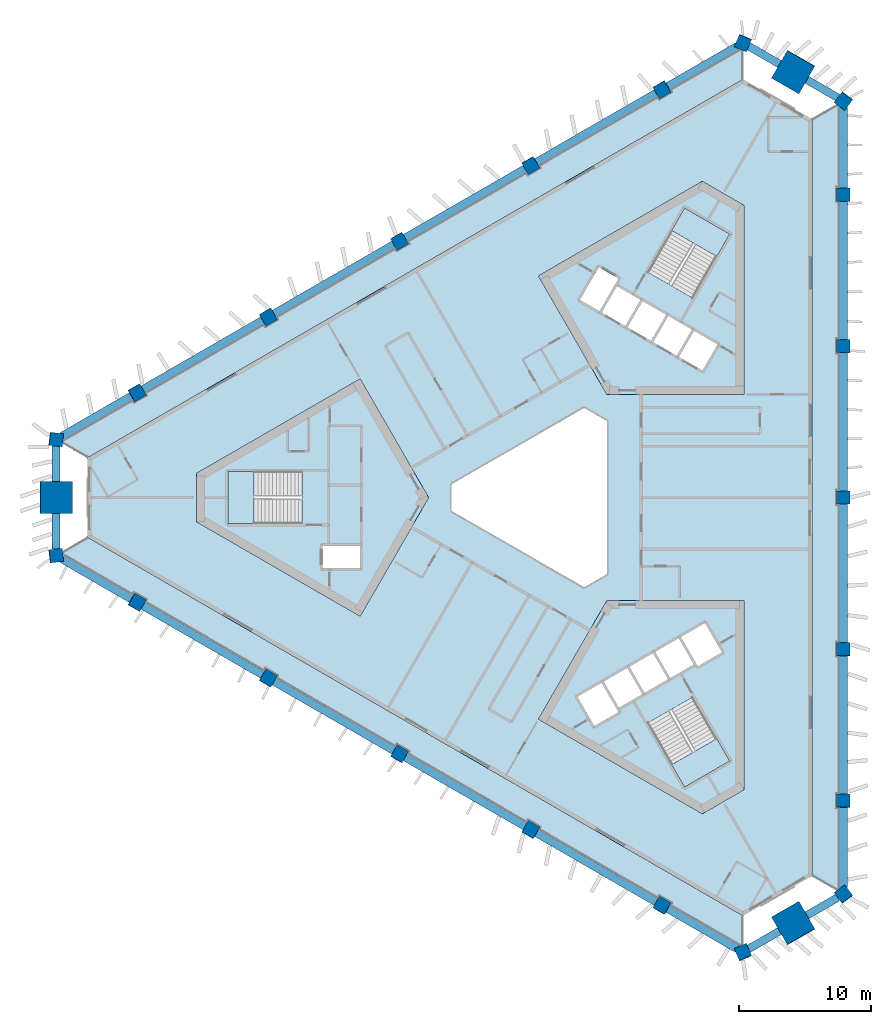
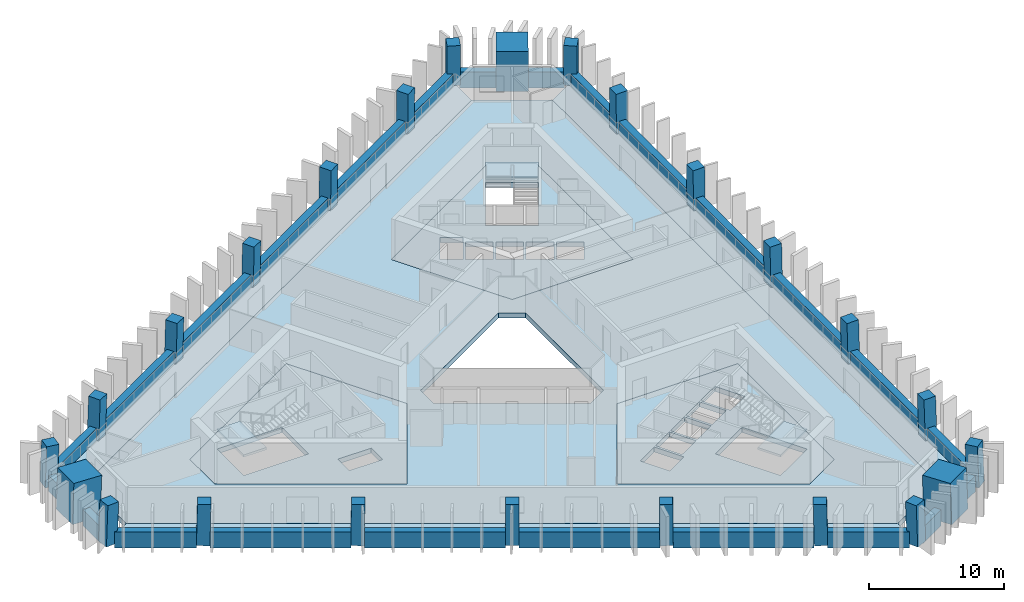
# One storey, part 1 of 10: 24 beams, 24 columns, 10 slabs, 3 elements without a shape of their own.
"""IFC4 building model written with IfcOpenShell, lengths in metres."""

from ifc_helpers import new_model, si_unit, direction, frame, origin, origin_2d, place, context, subcontext, project, spatial, polyline, rectangle, outline, extrude, material, layer, layer_set, material_profile, profile_set, type_object, element, aggregate, save


model = new_model("IFC4")

# Units and contexts
model_context = context("Model", 3, precision=1e-05, world=origin(), true_north=direction((0.0, 1.0)))
body_context = subcontext(model_context, "Body", "Model", "MODEL_VIEW")
ifc_project = project(units=[si_unit("LENGTHUNIT", "METRE"), si_unit("AREAUNIT", "SQUARE_METRE"), si_unit("VOLUMEUNIT", "CUBIC_METRE"), si_unit("PLANEANGLEUNIT", "RADIAN"), si_unit("MASSUNIT", "GRAM", prefix="KILO")], contexts=[model_context])

# Site, building, storey
site_placement = place(None, origin())
site = spatial("IfcSite", under=ifc_project, at=site_placement, CompositionType="ELEMENT")
building_placement = place(site_placement, origin())
building = spatial("IfcBuilding", under=site, at=building_placement, Name="Jabali Bay Hotel Tower and Convention Centre", CompositionType="ELEMENT")
storey_placement = place(building_placement, frame((0.0, 0.0, 110.5)))
storey = spatial("IfcBuildingStorey", under=building, at=storey_placement, Name="L26", CompositionType="ELEMENT", Elevation=110.5)

# Columns
ifc_material_1 = material(Name="Concrete C60", Category="concrete")
ifc_material_profile_1 = material_profile(ifc_material_1, rectangle(XDim=1.0, YDim=1.0, at=origin_2d()), Name="Frame column 1000")
ifc_profile_set_1 = profile_set([ifc_material_profile_1], Name="Concrete C60")
column_type_1 = type_object("IfcColumnType", Name="Frame column 1000", PredefinedType="COLUMN", material=ifc_profile_set_1)
column_1_placement = place(storey_placement, frame((83.67431640625, 110.902099609375, 0.0), z_axis=(-0.008376454378, -0.028163354484, 0.999568237028), x_axis=(0.86585218107, 0.499844611273, 0.021339285781)))
element("IfcColumn", 1, at=column_1_placement, inside=storey, type_object=column_type_1, Name="FC3 F1.1 L26", PredefinedType="COLUMN", context=body_context, shape_type="SweptSolid", body=[
    extrude(rectangle(XDim=1.0, YDim=1.0, at=origin_2d()), origin(), (0.0, 0.0, 1.0), 3.70166015625),
])
column_2_placement = place(storey_placement, frame((73.73095703125, 105.1611328125, 0.0), z_axis=(0.000857580205, -0.022758859284, 0.9997406158), x_axis=(0.866005831592, 0.499920732377, 0.010637715398)))
element("IfcColumn", 2, at=column_2_placement, inside=storey, type_object=column_type_1, Name="FC3 F1.2 L26", PredefinedType="COLUMN", context=body_context, shape_type="SweptSolid", body=[
    extrude(rectangle(XDim=1.0, YDim=1.0, at=origin_2d()), origin(), (0.0, 0.0, 1.0), 3.700927734375),
])
column_3_placement = place(storey_placement, frame((63.78759765625, 99.42041015625, 0.0), z_axis=(0.010093620709, -0.017482414954, 0.999796221231), x_axis=(0.86601685016, 0.500014815019, 2.20911e-07)))
element("IfcColumn", 3, at=column_3_placement, inside=storey, type_object=column_type_1, Name="FC3 F1.3 L26", PredefinedType="COLUMN", context=body_context, shape_type="SweptSolid", body=[
    extrude(rectangle(XDim=1.0, YDim=1.0, at=origin_2d()), origin(), (0.0, 0.0, 1.0), 3.70068359375),
])
column_4_placement = place(storey_placement, frame((53.84423828125, 93.6796875, 0.0), z_axis=(0.019328516974, -0.012138044789, 0.999739504221), x_axis=(-0.500214302693, 0.865666432488, 0.020181155676)))
element("IfcColumn", 4, at=column_4_placement, inside=storey, type_object=column_type_1, Name="FC3 F1.4 L26", PredefinedType="COLUMN", context=body_context, shape_type="SweptSolid", body=[
    extrude(rectangle(XDim=1.0, YDim=1.0, at=origin_2d()), origin(), (0.0, 0.0, 1.0), 3.700927734375),
])
for number, where, z_axis, x_axis, name in (
    (5, (43.90087890625, 87.93896484375, 0.0), (0.028559101991, -0.006859460986, 0.999568569678), (-0.498515218099, 0.866645785643, 0.020190580742), "FC3 F1.5 L26"),
    (6, (43.90087890625, 72.06103515625, 0.0), (0.028559101991, 0.006859460986, 0.999568569678), (-0.866410384874, 0.498876768373, 0.021331079692), "FC3 F2.1 L26"),
):
    element("IfcColumn", number, at=place(storey_placement, frame(where, z_axis=z_axis, x_axis=x_axis)), inside=storey, type_object=column_type_1, Name=name, PredefinedType="COLUMN", context=body_context, shape_type="SweptSolid", body=[
        extrude(rectangle(XDim=1.0, YDim=1.0, at=origin_2d()), origin(), (0.0, 0.0, 1.0), 3.70166015625),
    ])
column_5_placement = place(storey_placement, frame((53.84423828125, 66.3203125, 0.0), z_axis=(0.019328516974, 0.012138044789, 0.999739504221), x_axis=(-0.865685889808, 0.500474070789, 0.010660424724)))
element("IfcColumn", 7, at=column_5_placement, inside=storey, type_object=column_type_1, Name="FC3 F2.2 L26", PredefinedType="COLUMN", context=body_context, shape_type="SweptSolid", body=[
    extrude(rectangle(XDim=1.0, YDim=1.0, at=origin_2d()), origin(), (0.0, 0.0, 1.0), 3.700927734375),
])
column_6_placement = place(storey_placement, frame((63.78759765625, 60.57958984375, 0.0), z_axis=(0.010093620709, 0.017482414954, 0.999796221231), x_axis=(-0.499912926478, -0.865840372083, 0.020187025823)))
element("IfcColumn", 8, at=column_6_placement, inside=storey, type_object=column_type_1, Name="FC3 F2.3 L26", PredefinedType="COLUMN", context=body_context, shape_type="SweptSolid", body=[
    extrude(rectangle(XDim=1.0, YDim=1.0, at=origin_2d()), origin(), (0.0, 0.0, 1.0), 3.70068359375),
])
column_7_placement = place(storey_placement, frame((73.73095703125, 54.8388671875, 0.0), z_axis=(0.000857580205, 0.022758859284, 0.9997406158), x_axis=(-0.500033163106, -0.865772080668, 0.020138026985)))
element("IfcColumn", 9, at=column_7_placement, inside=storey, type_object=column_type_1, Name="FC3 F2.4 L26", PredefinedType="COLUMN", context=body_context, shape_type="SweptSolid", body=[
    extrude(rectangle(XDim=1.0, YDim=1.0, at=origin_2d()), origin(), (0.0, 0.0, 1.0), 3.700927734375),
])
for number, where, z_axis, x_axis, name in (
    (10, (83.67431640625, 49.097900390625, 0.0), (-0.008376454378, 0.028163354484, 0.999568237028), (-0.500229782748, -0.865657085713, 0.020198376324), "FC3 F2.5 L26"),
    (11, (97.4248046875, 57.036865234375, 0.0), (-0.020182659751, 0.021303918626, 0.999569308901), (0.000228267203, -0.99977282903, 0.021312865295), "FC3 F0.1 L26"),
):
    element("IfcColumn", number, at=place(storey_placement, frame(where, z_axis=z_axis, x_axis=x_axis)), inside=storey, type_object=column_type_1, Name=name, PredefinedType="COLUMN", context=body_context, shape_type="SweptSolid", body=[
        extrude(rectangle(XDim=1.0, YDim=1.0, at=origin_2d()), origin(), (0.0, 0.0, 1.0), 3.70166015625),
    ])
column_8_placement = place(storey_placement, frame((97.4248046875, 68.5185546875, 0.0), z_axis=(-0.020186102726, 0.010620792611, 0.999739826165), x_axis=(0.001532768534, -0.999942070948, 0.010653889845)))
element("IfcColumn", 12, at=column_8_placement, inside=storey, type_object=column_type_1, Name="FC3 F0.2 L26", PredefinedType="COLUMN", context=body_context, shape_type="SweptSolid", body=[
    extrude(rectangle(XDim=1.0, YDim=1.0, at=origin_2d()), origin(), (0.0, 0.0, 1.0), 3.700927734375),
])
column_9_placement = place(storey_placement, frame((97.4248046875, 80.0, 0.0), z_axis=(-0.020187241331, 0.0, 0.99979621688), x_axis=(0.0, -1.0, 0.0)))
element("IfcColumn", 13, at=column_9_placement, inside=storey, type_object=column_type_1, Name="FC3 F0.3 L26", PredefinedType="COLUMN", context=body_context, shape_type="SweptSolid", body=[
    extrude(rectangle(XDim=1.0, YDim=1.0, at=origin_2d()), origin(), (0.0, 0.0, 1.0), 3.70068359375),
])
column_10_placement = place(storey_placement, frame((97.4248046875, 91.4814453125, 0.0), z_axis=(-0.020186102726, -0.010620792611, 0.999739826165), x_axis=(0.999795064939, -0.001747430263, 0.020168654147)))
element("IfcColumn", 14, at=column_10_placement, inside=storey, type_object=column_type_1, Name="FC3 F0.4 L26", PredefinedType="COLUMN", context=body_context, shape_type="SweptSolid", body=[
    extrude(rectangle(XDim=1.0, YDim=1.0, at=origin_2d()), origin(), (0.0, 0.0, 1.0), 3.700927734375),
])
column_11_placement = place(storey_placement, frame((97.4248046875, 102.963134765625, 0.0), z_axis=(-0.020182659751, -0.021303918626, 0.999569308901), x_axis=(0.999796283319, -0.000658319199, 0.020173211851)))
element("IfcColumn", 15, at=column_11_placement, inside=storey, type_object=column_type_1, Name="FC3 F0.5 L26", PredefinedType="COLUMN", context=body_context, shape_type="SweptSolid", body=[
    extrude(rectangle(XDim=1.0, YDim=1.0, at=origin_2d()), origin(), (0.0, 0.0, 1.0), 3.70166015625),
])
for number, where, z_axis, x_axis, name in (
    (16, (97.4248046875, 49.95166015625, 0.0), (-0.02017878048, 0.028949296179, 0.999377183584), (-0.800893771176, -0.598805300123, 0.00117466399), "FC3 V0 L26"),
    (17, (97.4248046875, 110.04833984375, 0.0), (-0.02017878048, -0.028949296179, 0.999377183584), (0.598466360049, 0.800371258101, 0.035268471691), "FC3 V1 L26"),
    (18, (89.810302734375, 114.444580078125, 0.0), (-0.015035141917, -0.031982648376, 0.99937533225), (0.918638025791, -0.395098461027, 0.001176292727), "FC3 V2 L26"),
    (19, (37.764892578125, 84.396240234375, 0.0), (0.03521388716, -0.002967462401, 0.999375393092), (-0.992498367921, 0.117045076503, 0.03531911296), "FC3 V3 L26"),
    (20, (37.764892578125, 75.603759765625, 0.0), (0.03521388716, 0.002967462401, 0.999375393092), (-0.117076777479, 0.993122169843, 0.001176410527), "FC3 V4 L26"),
    (21, (89.810302734375, 45.555419921875, 0.0), (-0.015035141917, 0.031982648376, 0.99937533225), (0.394814034804, -0.918081867971, 0.035320838397), "FC3 V5 L26"),
):
    element("IfcColumn", number, at=place(storey_placement, frame(where, z_axis=z_axis, x_axis=x_axis)), inside=storey, type_object=column_type_1, Name=name, PredefinedType="COLUMN", context=body_context, shape_type="SweptSolid", body=[
        extrude(rectangle(XDim=1.0, YDim=1.0, at=origin_2d()), origin(), (0.0, 0.0, 1.0), 3.7021484375),
    ])
ifc_material_2 = material(Name="Concrete C70", Category="concrete")
ifc_material_profile_2 = material_profile(ifc_material_2, rectangle(XDim=2.39990234375, YDim=2.39990234375, at=origin_2d()), Name="Mega column 2400")
ifc_profile_set_2 = profile_set([ifc_material_profile_2], Name="Concrete C70")
column_type_2 = type_object("IfcColumnType", Name="Mega column 2400", PredefinedType="COLUMN", material=ifc_profile_set_2)
for number, where, z_axis, x_axis, name in (
    (22, (93.617431640625, 112.24658203125, 0.0), (-0.017541078386, -0.030532027415, 0.999379860649), (0.867088366176, -0.498154358851, 2.458e-09), "MC3 M1 L26"),
    (23, (37.764892578125, 80.0, 0.0), (0.035214042205, 0.0, 0.999379793288), (0.0, 1.0, 0.0), "MC3 M0 L26"),
    (24, (93.617431640625, 47.75341796875, 0.0), (-0.017541078386, 0.030532027415, 0.999379860649), (0.497845433655, -0.866550650603, 0.035212130424), "MC3 M2 L26"),
):
    element("IfcColumn", number, at=place(storey_placement, frame(where, z_axis=z_axis, x_axis=x_axis)), inside=storey, type_object=column_type_2, Name=name, PredefinedType="COLUMN", context=body_context, shape_type="SweptSolid", body=[
        extrude(rectangle(XDim=2.39990234375, YDim=2.39990234375, at=origin_2d()), origin(), (0.0, 0.0, 1.0), 3.7021484375),
    ])

# Beams
ifc_material_profile_3 = material_profile(ifc_material_1, rectangle(XDim=0.60009765625, YDim=1.449951171875, at=origin_2d()), Name="Spandrel 600x1450")
ifc_profile_set_3 = profile_set([ifc_material_profile_3], Name="Concrete C60")
beam_type = type_object("IfcBeamType", Name="Spandrel 600x1450", PredefinedType="SPANDREL", material=ifc_profile_set_3)
beam_1_placement = place(storey_placement, frame((92.57177734375, 112.835205078125, 0.375), z_axis=(-0.866043783824, 0.499968163486, 0.0), x_axis=(-0.499968163486, -0.866043783824, 0.0)))
element("IfcBeam", 25, at=beam_1_placement, inside=storey, type_object=beam_type, Name="Spandrel M1-V2 L26", PredefinedType="SPANDREL", context=body_context, shape_type="SweptSolid", body=[
    extrude(rectangle(XDim=0.60009765625, YDim=1.449951171875, at=origin_2d()), origin(), (0.0, 0.0, 1.0), 2.695068359375),
])
beam_2_placement = place(storey_placement, frame((89.37158203125, 114.1826171875, 0.375), z_axis=(-0.866023829256, -0.500002727153, 0.0), x_axis=(0.500002727153, -0.866023829256, 0.0)))
element("IfcBeam", 26, at=beam_2_placement, inside=storey, type_object=beam_type, Name="Spandrel V2-F1.1 L26", PredefinedType="SPANDREL", context=body_context, shape_type="SweptSolid", body=[
    extrude(rectangle(XDim=0.60009765625, YDim=1.449951171875, at=origin_2d()), origin(), (0.0, 0.0, 1.0), 6.08251953125),
])
beam_3_placement = place(storey_placement, frame((83.238037109375, 110.641357421875, 0.375), z_axis=(-0.866023386865, -0.50000349339, 0.0), x_axis=(0.50000349339, -0.866023386865, 0.0)))
element("IfcBeam", 27, at=beam_3_placement, inside=storey, type_object=beam_type, Name="Spandrel F1.1-F1.2 L26", PredefinedType="SPANDREL", context=body_context, shape_type="SweptSolid", body=[
    extrude(rectangle(XDim=0.60009765625, YDim=1.449951171875, at=origin_2d()), origin(), (0.0, 0.0, 1.0), 10.4775390625),
])
beam_4_placement = place(storey_placement, frame((73.29833984375, 104.902587890625, 0.375), z_axis=(-0.866029212144, -0.49999340367, 0.0), x_axis=(0.49999340367, -0.866029212144, 0.0)))
element("IfcBeam", 28, at=beam_4_placement, inside=storey, type_object=beam_type, Name="Spandrel F1.2-F1.3 L26", PredefinedType="SPANDREL", context=body_context, shape_type="SweptSolid", body=[
    extrude(rectangle(XDim=0.60009765625, YDim=1.449951171875, at=origin_2d()), origin(), (0.0, 0.0, 1.0), 10.477783203125),
])
for number, where, z_axis, x_axis, name in (
    (29, (63.3583984375, 99.163818359375, 0.375), (-0.866023386865, -0.50000349339, 0.0), (0.50000349339, -0.866023386865, 0.0), "Spandrel F1.3-F1.4 L26"),
    (30, (53.41845703125, 93.425048828125, 0.375), (-0.866023386865, -0.50000349339, 0.0), (0.50000349339, -0.866023386865, 0.0), "Spandrel F1.4-F1.5 L26"),
):
    element("IfcBeam", number, at=place(storey_placement, frame(where, z_axis=z_axis, x_axis=x_axis)), inside=storey, type_object=beam_type, Name=name, PredefinedType="SPANDREL", context=body_context, shape_type="SweptSolid", body=[
        extrude(rectangle(XDim=0.60009765625, YDim=1.449951171875, at=origin_2d()), origin(), (0.0, 0.0, 1.0), 10.4775390625),
    ])
beam_5_placement = place(storey_placement, frame((43.478759765625, 87.686279296875, 0.375), z_axis=(-0.866023829256, -0.500002727153, 0.0), x_axis=(0.500002727153, -0.866023829256, 0.0)))
element("IfcBeam", 31, at=beam_5_placement, inside=storey, type_object=beam_type, Name="Spandrel F1.5-V3 L26", PredefinedType="SPANDREL", context=body_context, shape_type="SweptSolid", body=[
    extrude(rectangle(XDim=0.60009765625, YDim=1.449951171875, at=origin_2d()), origin(), (0.0, 0.0, 1.0), 6.08251953125),
])
for number, where, z_axis, x_axis, name in (
    (32, (37.778076171875, 83.89501953125, 0.375), (0.0, -1.0, 0.0), (1.0, 0.0, 0.0), "Spandrel V3-M0 L26"),
    (33, (37.778076171875, 78.800048828125, 0.375), (0.0, -1.0, 0.0), (1.0, 0.0, 0.0), "Spandrel M0-V4 L26"),
):
    element("IfcBeam", number, at=place(storey_placement, frame(where, z_axis=z_axis, x_axis=x_axis)), inside=storey, type_object=beam_type, Name=name, PredefinedType="SPANDREL", context=body_context, shape_type="SweptSolid", body=[
        extrude(rectangle(XDim=0.60009765625, YDim=1.449951171875, at=origin_2d()), origin(), (0.0, 0.0, 1.0), 2.695068359375),
    ])
beam_6_placement = place(storey_placement, frame((38.211181640625, 75.35498046875, 0.375), z_axis=(0.866023829256, -0.500002727153, 0.0), x_axis=(0.500002727153, 0.866023829256, 0.0)))
element("IfcBeam", 34, at=beam_6_placement, inside=storey, type_object=beam_type, Name="Spandrel V4-F2.1 L26", PredefinedType="SPANDREL", context=body_context, shape_type="SweptSolid", body=[
    extrude(rectangle(XDim=0.60009765625, YDim=1.449951171875, at=origin_2d()), origin(), (0.0, 0.0, 1.0), 6.08251953125),
])
for number, where, z_axis, x_axis, name in (
    (35, (44.3447265625, 71.813720703125, 0.375), (0.866023386865, -0.50000349339, 0.0), (0.50000349339, 0.866023386865, 0.0), "Spandrel F2.1-F2.2 L26"),
    (36, (54.28466796875, 66.074951171875, 0.375), (0.866023386865, -0.50000349339, 0.0), (0.50000349339, 0.866023386865, 0.0), "Spandrel F2.2-F2.3 L26"),
):
    element("IfcBeam", number, at=place(storey_placement, frame(where, z_axis=z_axis, x_axis=x_axis)), inside=storey, type_object=beam_type, Name=name, PredefinedType="SPANDREL", context=body_context, shape_type="SweptSolid", body=[
        extrude(rectangle(XDim=0.60009765625, YDim=1.449951171875, at=origin_2d()), origin(), (0.0, 0.0, 1.0), 10.4775390625),
    ])
beam_7_placement = place(storey_placement, frame((64.224365234375, 60.336181640625, 0.375), z_axis=(0.866029212144, -0.49999340367, 0.0), x_axis=(0.49999340367, 0.866029212144, 0.0)))
element("IfcBeam", 37, at=beam_7_placement, inside=storey, type_object=beam_type, Name="Spandrel F2.3-F2.4 L26", PredefinedType="SPANDREL", context=body_context, shape_type="SweptSolid", body=[
    extrude(rectangle(XDim=0.60009765625, YDim=1.449951171875, at=origin_2d()), origin(), (0.0, 0.0, 1.0), 10.477783203125),
])
beam_8_placement = place(storey_placement, frame((74.164306640625, 54.597412109375, 0.375), z_axis=(0.866023386865, -0.50000349339, 0.0), x_axis=(0.50000349339, 0.866023386865, 0.0)))
element("IfcBeam", 38, at=beam_8_placement, inside=storey, type_object=beam_type, Name="Spandrel F2.4-F2.5 L26", PredefinedType="SPANDREL", context=body_context, shape_type="SweptSolid", body=[
    extrude(rectangle(XDim=0.60009765625, YDim=1.449951171875, at=origin_2d()), origin(), (0.0, 0.0, 1.0), 10.4775390625),
])
beam_9_placement = place(storey_placement, frame((84.10400390625, 48.858642578125, 0.375), z_axis=(0.866023829256, -0.500002727153, 0.0), x_axis=(0.500002727153, 0.866023829256, 0.0)))
element("IfcBeam", 39, at=beam_9_placement, inside=storey, type_object=beam_type, Name="Spandrel F2.5-V5 L26", PredefinedType="SPANDREL", context=body_context, shape_type="SweptSolid", body=[
    extrude(rectangle(XDim=0.60009765625, YDim=1.449951171875, at=origin_2d()), origin(), (0.0, 0.0, 1.0), 6.08251953125),
])
for number, where, z_axis, x_axis, name in (
    (40, (90.23779296875, 45.8173828125, 0.375), (0.866043783824, 0.499968163486, 0.0), (-0.499968163486, 0.866043783824, 0.0), "Spandrel V5-M2 L26"),
    (41, (94.650146484375, 48.364990234375, 0.375), (0.866043783824, 0.499968163486, 0.0), (-0.499968163486, 0.866043783824, 0.0), "Spandrel M2-V0 L26"),
):
    element("IfcBeam", number, at=place(storey_placement, frame(where, z_axis=z_axis, x_axis=x_axis)), inside=storey, type_object=beam_type, Name=name, PredefinedType="SPANDREL", context=body_context, shape_type="SweptSolid", body=[
        extrude(rectangle(XDim=0.60009765625, YDim=1.449951171875, at=origin_2d()), origin(), (0.0, 0.0, 1.0), 2.695068359375),
    ])
beam_10_placement = place(storey_placement, frame((97.417236328125, 50.46240234375, 0.375), z_axis=(0.0, 1.0, 0.0), x_axis=(-1.0, 0.0, 0.0)))
element("IfcBeam", 42, at=beam_10_placement, inside=storey, type_object=beam_type, Name="Spandrel V0-F0.1 L26", PredefinedType="SPANDREL", context=body_context, shape_type="SweptSolid", body=[
    extrude(rectangle(XDim=0.60009765625, YDim=1.449951171875, at=origin_2d()), origin(), (0.0, 0.0, 1.0), 6.08251953125),
])
for number, where, z_axis, x_axis, name in (
    (43, (97.417236328125, 57.544921875, 0.375), (0.0, 1.0, 0.0), (-1.0, 0.0, 0.0), "Spandrel F0.1-F0.2 L26"),
    (44, (97.417236328125, 69.0224609375, 0.375), (0.0, 1.0, 0.0), (-1.0, 0.0, 0.0), "Spandrel F0.2-F0.3 L26"),
    (45, (97.417236328125, 80.5, 0.375), (0.0, 1.0, 0.0), (-1.0, 0.0, 0.0), "Spandrel F0.3-F0.4 L26"),
    (46, (97.417236328125, 91.9775390625, 0.375), (0.0, 1.0, 0.0), (-1.0, 0.0, 0.0), "Spandrel F0.4-F0.5 L26"),
):
    element("IfcBeam", number, at=place(storey_placement, frame(where, z_axis=z_axis, x_axis=x_axis)), inside=storey, type_object=beam_type, Name=name, PredefinedType="SPANDREL", context=body_context, shape_type="SweptSolid", body=[
        extrude(rectangle(XDim=0.60009765625, YDim=1.449951171875, at=origin_2d()), origin(), (0.0, 0.0, 1.0), 10.4775390625),
    ])
beam_11_placement = place(storey_placement, frame((97.417236328125, 103.455078125, 0.375), z_axis=(0.0, 1.0, 0.0), x_axis=(-1.0, 0.0, 0.0)))
element("IfcBeam", 47, at=beam_11_placement, inside=storey, type_object=beam_type, Name="Spandrel F0.5-V1 L26", PredefinedType="SPANDREL", context=body_context, shape_type="SweptSolid", body=[
    extrude(rectangle(XDim=0.60009765625, YDim=1.449951171875, at=origin_2d()), origin(), (0.0, 0.0, 1.0), 6.08251953125),
])
beam_12_placement = place(storey_placement, frame((96.984130859375, 110.28759765625, 0.375), z_axis=(-0.866043783824, 0.499968163486, 0.0), x_axis=(-0.499968163486, -0.866043783824, 0.0)))
element("IfcBeam", 48, at=beam_12_placement, inside=storey, type_object=beam_type, Name="Spandrel V1-M1 L26", PredefinedType="SPANDREL", context=body_context, shape_type="SweptSolid", body=[
    extrude(rectangle(XDim=0.60009765625, YDim=1.449951171875, at=origin_2d()), origin(), (0.0, 0.0, 1.0), 2.695068359375),
])

# Slabs
ifc_material_3 = material(Name="Concrete C40", Category="concrete")
ifc_layer_1 = layer(ifc_material_3, 0.449951171875)
ifc_layer_set_1 = layer_set([ifc_layer_1], Name="Concrete C40")
slab_type_1 = type_object("IfcSlabType", Name="Core floor slab 450", PredefinedType="FLOOR", material=ifc_layer_set_1)
slab_1_placement = place(storey_placement, frame((0.0, 0.0, -0.449951171875)))
element("IfcSlab", 49, at=slab_1_placement, inside=storey, type_object=slab_type_1, Name="Core floor slab 1 L26", PredefinedType="FLOOR", context=body_context, shape_type="SweptSolid", body=[
    extrude(outline(polyline([(66.0, 80.0), (60.81005859375, 88.9892578125), (48.39697265625, 81.82275390625), (48.39697265625, 78.17724609375), (60.81005859375, 71.0107421875), (66.0, 80.0)]), holes=[polyline([(60.800048828125, 76.35009765625), (57.949951171875, 76.35009765625), (57.949951171875, 74.64990234375), (60.800048828125, 74.64990234375), (60.800048828125, 76.35009765625)]), polyline([(50.820068359375, 81.97509765625), (50.820068359375, 78.02490234375), (56.409912109375, 78.02490234375), (56.409912109375, 81.97509765625), (50.820068359375, 81.97509765625)])]), origin(), (0.0, 0.0, 1.0), 0.449951171875),
])
slab_2_placement = place(storey_placement, frame((0.0, 0.0, -0.449951171875)))
element("IfcSlab", 50, at=slab_2_placement, inside=storey, type_object=slab_type_1, Name="Core floor slab 2 L26", PredefinedType="FLOOR", context=body_context, shape_type="SweptSolid", body=[
    extrude(outline(polyline([(79.5, 87.794189453125), (89.8798828125, 87.794189453125), (89.8798828125, 102.127685546875), (86.72314453125, 103.9501953125), (74.31005859375, 96.78369140625), (79.5, 87.794189453125)]), holes=[polyline([(84.957763671875, 90.6474609375), (86.733154296875, 89.62255859375), (87.873291015625, 91.59716796875), (86.097900390625, 92.6220703125), (84.957763671875, 90.6474609375)]), polyline([(84.1494140625, 93.7470703125), (83.00927734375, 91.7724609375), (84.78466796875, 90.74755859375), (85.924560546875, 92.72216796875), (84.1494140625, 93.7470703125)]), polyline([(82.20068359375, 94.8720703125), (81.060791015625, 92.8974609375), (82.836181640625, 91.87255859375), (83.97607421875, 93.84716796875), (82.20068359375, 94.8720703125)]), polyline([(79.1123046875, 94.0224609375), (80.887451171875, 92.99755859375), (82.027587890625, 94.97216796875), (80.252197265625, 95.9970703125), (79.1123046875, 94.0224609375)]), polyline([(78.891845703125, 97.440673828125), (77.466796875, 94.97265625), (78.93896484375, 94.12255859375), (80.364013671875, 96.5908203125), (78.891845703125, 97.440673828125)]), polyline([(82.584716796875, 97.0869140625), (86.00537109375, 95.11181640625), (88.80029296875, 99.952880859375), (85.379638671875, 101.927978515625), (82.584716796875, 97.0869140625)])]), origin(), (0.0, 0.0, 1.0), 0.449951171875),
])
slab_3_placement = place(storey_placement, frame((0.0, 0.0, -0.449951171875)))
element("IfcSlab", 51, at=slab_3_placement, inside=storey, type_object=slab_type_1, Name="Core floor slab 3 L26", PredefinedType="FLOOR", context=body_context, shape_type="SweptSolid", body=[
    extrude(outline(polyline([(79.5, 72.205810546875), (74.31005859375, 63.21630859375), (86.72314453125, 56.0498046875), (89.8798828125, 57.872314453125), (89.8798828125, 72.205810546875), (79.5, 72.205810546875)]), holes=[polyline([(82.584716796875, 62.9130859375), (85.379638671875, 58.072021484375), (88.80029296875, 60.047119140625), (86.00537109375, 64.88818359375), (82.584716796875, 62.9130859375)]), polyline([(80.365478515625, 63.756591796875), (79.090576171875, 65.96484375), (77.27197265625, 64.9150390625), (78.546875, 62.70654296875), (80.365478515625, 63.756591796875)]), polyline([(82.17919921875, 65.115478515625), (81.0390625, 67.08984375), (79.263671875, 66.06494140625), (80.40380859375, 64.09033203125), (82.17919921875, 65.115478515625)]), polyline([(82.98779296875, 68.21484375), (81.21240234375, 67.18994140625), (82.352294921875, 65.21533203125), (84.127685546875, 66.240478515625), (82.98779296875, 68.21484375)]), polyline([(86.076171875, 67.365478515625), (84.936279296875, 69.33984375), (83.160888671875, 68.31494140625), (84.30078125, 66.34033203125), (86.076171875, 67.365478515625)]), polyline([(88.203125, 68.281494140625), (86.927978515625, 70.489990234375), (85.109375, 69.43994140625), (86.384521484375, 67.231689453125), (88.203125, 68.281494140625)])]), origin(), (0.0, 0.0, 1.0), 0.449951171875),
])
ifc_layer_2 = layer(ifc_material_3, 0.199951171875)
ifc_layer_set_2 = layer_set([ifc_layer_2], Name="Concrete C40")
slab_type_2 = type_object("IfcSlabType", Name="Loggia slab 200", PredefinedType="FLOOR", material=ifc_layer_set_2)
slab_4_placement = place(storey_placement, frame((0.0, 0.0, -0.199951171875)))
element("IfcSlab", 52, at=slab_4_placement, inside=storey, type_object=slab_type_2, Name="Loggia slab east face L26", PredefinedType="FLOOR", context=body_context, shape_type="SweptSolid", body=[
    extrude(outline(polyline([(95.02490234375, 108.662841796875), (96.953369140625, 109.7763671875), (97.124755859375, 109.6484375), (97.124755859375, 103.463134765625), (96.9248046875, 103.463134765625), (96.9248046875, 102.463134765625), (97.124755859375, 102.463134765625), (97.124755859375, 91.9814453125), (96.9248046875, 91.9814453125), (96.9248046875, 90.9814453125), (97.124755859375, 90.9814453125), (97.124755859375, 80.5), (96.9248046875, 80.5), (96.9248046875, 79.5), (97.124755859375, 79.5), (97.124755859375, 69.0185546875), (96.9248046875, 69.0185546875), (96.9248046875, 68.0185546875), (97.124755859375, 68.0185546875), (97.124755859375, 57.536865234375), (96.9248046875, 57.536865234375), (96.9248046875, 56.536865234375), (97.124755859375, 56.536865234375), (97.124755859375, 50.3515625), (96.953369140625, 50.2236328125), (95.02490234375, 51.337158203125), (95.02490234375, 108.662841796875)])), origin(), (0.0, 0.0, 1.0), 0.199951171875),
])
slab_5_placement = place(storey_placement, frame((0.0, 0.0, -0.199951171875)))
element("IfcSlab", 53, at=slab_5_placement, inside=storey, type_object=slab_type_2, Name="Loggia slab north-west face L26", PredefinedType="FLOOR", context=body_context, shape_type="SweptSolid", body=[
    extrude(outline(polyline([(40.164794921875, 83.010498046875), (38.236328125, 84.1240234375), (38.26123046875, 84.33642578125), (43.617919921875, 87.42919921875), (43.718017578125, 87.255859375), (44.583984375, 87.755859375), (44.48388671875, 87.92919921875), (53.561279296875, 93.169921875), (53.661376953125, 92.99658203125), (54.52734375, 93.49658203125), (54.42724609375, 93.669921875), (63.504638671875, 98.91064453125), (63.6044921875, 98.7373046875), (64.470703125, 99.2373046875), (64.37060546875, 99.41064453125), (73.447998046875, 104.6513671875), (73.5478515625, 104.478271484375), (74.413818359375, 104.978271484375), (74.31396484375, 105.1513671875), (83.39111328125, 110.39208984375), (83.4912109375, 110.218994140625), (84.357177734375, 110.718994140625), (84.25732421875, 110.89208984375), (89.614013671875, 113.98486328125), (89.810302734375, 113.900390625), (89.810302734375, 111.67333984375), (40.164794921875, 83.010498046875)])), origin(), (0.0, 0.0, 1.0), 0.199951171875),
])
slab_6_placement = place(storey_placement, frame((0.0, 0.0, -0.199951171875)))
element("IfcSlab", 54, at=slab_6_placement, inside=storey, type_object=slab_type_2, Name="Loggia slab south-west face L26", PredefinedType="FLOOR", context=body_context, shape_type="SweptSolid", body=[
    extrude(outline(polyline([(89.810302734375, 48.32666015625), (89.810302734375, 46.099609375), (89.614013671875, 46.01513671875), (84.25732421875, 49.10791015625), (84.357177734375, 49.281005859375), (83.4912109375, 49.781005859375), (83.39111328125, 49.60791015625), (74.31396484375, 54.8486328125), (74.413818359375, 55.021728515625), (73.5478515625, 55.521728515625), (73.447998046875, 55.3486328125), (64.37060546875, 60.58935546875), (64.470703125, 60.7626953125), (63.6044921875, 61.2626953125), (63.504638671875, 61.08935546875), (54.42724609375, 66.330078125), (54.52734375, 66.50341796875), (53.661376953125, 67.00341796875), (53.561279296875, 66.830078125), (44.48388671875, 72.07080078125), (44.583984375, 72.244140625), (43.718017578125, 72.744140625), (43.617919921875, 72.57080078125), (38.26123046875, 75.66357421875), (38.236328125, 75.8759765625), (40.164794921875, 76.989501953125), (89.810302734375, 48.32666015625)])), origin(), (0.0, 0.0, 1.0), 0.199951171875),
])
ifc_layer_3 = layer(ifc_material_3, 0.449951171875)
ifc_layer_set_3 = layer_set([ifc_layer_3], Name="Concrete C40")
slab_type_3 = type_object("IfcSlabType", Name="Post-tensioned flat slab 450", PredefinedType="FLOOR", material=ifc_layer_set_3)
slab_7_placement = place(storey_placement, frame((0.0, 0.0, -0.449951171875)))
element("IfcSlab", 55, at=slab_7_placement, inside=storey, type_object=slab_type_3, Name="Floor slab L26", PredefinedType="FLOOR", context=body_context, shape_type="SweptSolid", body=[
    extrude(outline(polyline([(89.810302734375, 111.67333984375), (95.02490234375, 108.662841796875), (95.02490234375, 51.337158203125), (89.810302734375, 48.32666015625), (40.164794921875, 76.989501953125), (40.164794921875, 83.010498046875), (89.810302734375, 111.67333984375)]), holes=[polyline([(67.73193359375, 79.0), (77.76806640625, 73.205810546875), (79.5, 74.205810546875), (79.5, 85.794189453125), (77.76806640625, 86.794189453125), (67.73193359375, 81.0), (67.73193359375, 79.0)]), polyline([(48.39697265625, 78.17724609375), (60.81005859375, 71.0107421875), (66.0, 80.0), (60.81005859375, 88.9892578125), (48.39697265625, 81.82275390625), (48.39697265625, 78.17724609375)]), polyline([(89.8798828125, 102.127685546875), (86.72314453125, 103.9501953125), (74.31005859375, 96.78369140625), (79.5, 87.794189453125), (89.8798828125, 87.794189453125), (89.8798828125, 102.127685546875)]), polyline([(74.31005859375, 63.21630859375), (86.72314453125, 56.0498046875), (89.8798828125, 57.872314453125), (89.8798828125, 72.205810546875), (79.5, 72.205810546875), (74.31005859375, 63.21630859375)])]), origin(), (0.0, 0.0, 1.0), 0.449951171875),
])

# Stair, slab
stair_type = type_object("IfcStairType", Name="Exit stair 1900", PredefinedType="HALF_TURN_STAIR", material=ifc_material_3)
stair_1_placement = place(storey_placement, origin())
stair_1 = element("IfcStair", 56, at=stair_1_placement, inside=storey, type_object=stair_type, Name="L26 Exit Stair 1", PredefinedType="HALF_TURN_STAIR")
ifc_layer_4 = layer(ifc_material_3, 0.199951171875)
ifc_layer_set_4 = layer_set([ifc_layer_4], Name="Concrete C40")
slab_type_4 = type_object("IfcSlabType", Name="Stair landing 200", PredefinedType="LANDING", material=ifc_layer_set_4)
slab_8_placement = place(storey_placement, frame((0.0, 0.0, 1.64990234375)))
slab_8 = element("IfcSlab", 57, at=slab_8_placement, type_object=slab_type_4, Name="ST1 landing 1", PredefinedType="LANDING", context=body_context, shape_type="SweptSolid", body=[
    extrude(outline(polyline([(52.782958984375, 81.97509765625), (50.820068359375, 81.97509765625), (50.820068359375, 78.02490234375), (52.782958984375, 78.02490234375), (52.782958984375, 81.97509765625)])), origin(), (0.0, 0.0, 1.0), 0.2001953125),
])
aggregate(stair_1, [slab_8])

stair_2_placement = place(storey_placement, origin())
stair_2 = element("IfcStair", 58, at=stair_2_placement, inside=storey, type_object=stair_type, Name="L26 Exit Stair 2", PredefinedType="HALF_TURN_STAIR")
slab_9_placement = place(storey_placement, frame((0.0, 0.0, 1.64990234375)))
slab_9 = element("IfcSlab", 59, at=slab_9_placement, type_object=slab_type_4, Name="ST2 landing 1", PredefinedType="LANDING", context=body_context, shape_type="SweptSolid", body=[
    extrude(outline(polyline([(87.81884765625, 98.2529296875), (88.80029296875, 99.952880859375), (85.379638671875, 101.927978515625), (84.398193359375, 100.22802734375), (87.81884765625, 98.2529296875)])), origin(), (0.0, 0.0, 1.0), 0.2001953125),
])
aggregate(stair_2, [slab_9])

stair_3_placement = place(storey_placement, origin())
stair_3 = element("IfcStair", 60, at=stair_3_placement, inside=storey, type_object=stair_type, Name="L26 Exit Stair 3", PredefinedType="HALF_TURN_STAIR")
slab_10_placement = place(storey_placement, frame((0.0, 0.0, 1.64990234375)))
slab_10 = element("IfcSlab", 61, at=slab_10_placement, type_object=slab_type_4, Name="ST3 landing 1", PredefinedType="LANDING", context=body_context, shape_type="SweptSolid", body=[
    extrude(outline(polyline([(84.398193359375, 59.77197265625), (85.379638671875, 58.072021484375), (88.80029296875, 60.047119140625), (87.81884765625, 61.7470703125), (84.398193359375, 59.77197265625)])), origin(), (0.0, 0.0, 1.0), 0.2001953125),
])
aggregate(stair_3, [slab_10])

save(model, "model.ifc")
